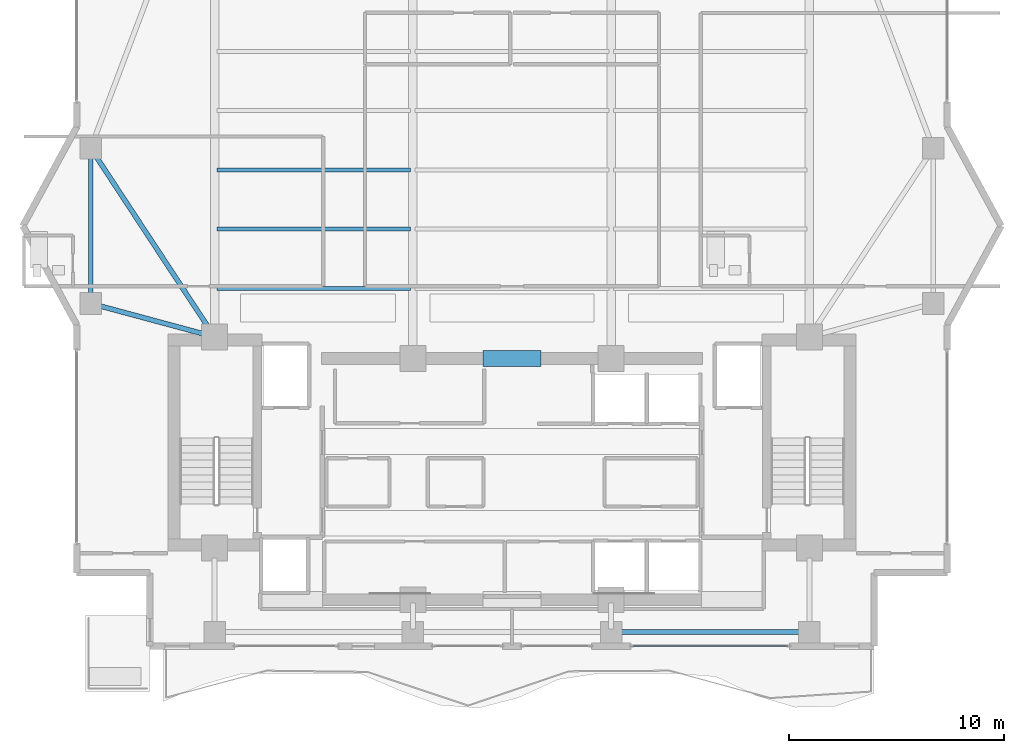
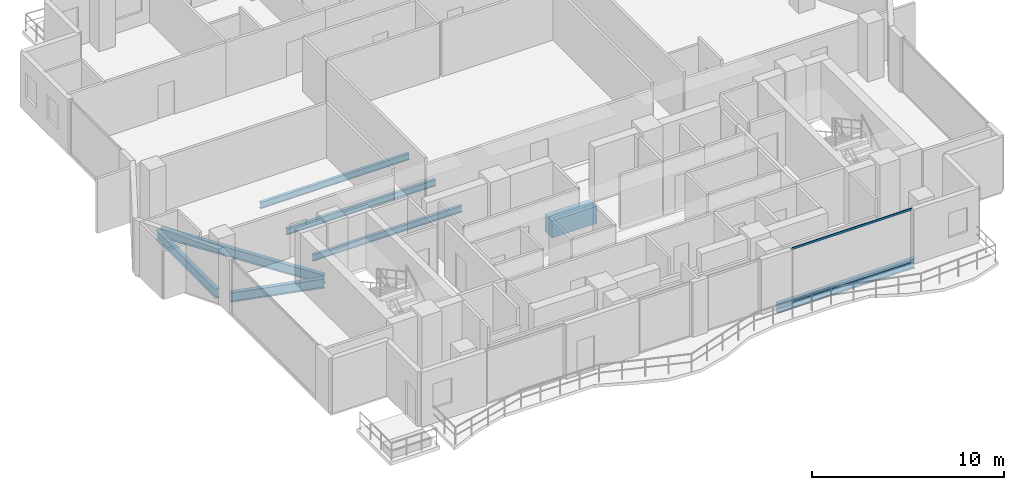
# One storey, part 5 of 25: 8 beams, 2 members, 1 element without a shape of its own.
"""IFC4 building model written with IfcOpenShell, lengths in metres."""

from ifc_helpers import new_model, si_unit, direction, frame, origin, origin_2d, place, context, subcontext, project, spatial, rectangle, hollow_rectangle, i_section, extrude, material, layer, layer_set, material_profile, profile_set, type_object, element, aggregate, save


model = new_model("IFC4")

# Units and contexts
model_context = context("Model", 3, precision=1e-05, world=origin(), true_north=direction((0.0, 1.0)))
body_context = subcontext(model_context, "Body", "Model", "MODEL_VIEW")
ifc_project = project(units=[si_unit("LENGTHUNIT", "METRE"), si_unit("AREAUNIT", "SQUARE_METRE"), si_unit("VOLUMEUNIT", "CUBIC_METRE"), si_unit("PLANEANGLEUNIT", "RADIAN"), si_unit("MASSUNIT", "GRAM", prefix="KILO")], contexts=[model_context])

# Site, building, storey
site_placement = place(None, origin())
site = spatial("IfcSite", under=ifc_project, at=site_placement, CompositionType="ELEMENT")
building_placement = place(site_placement, origin())
building = spatial("IfcBuilding", under=site, at=building_placement, Name="Zuhayl Quay Hotel", CompositionType="ELEMENT")
storey_placement = place(building_placement, frame((0.0, 0.0, 243.35009765625)))
storey = spatial("IfcBuildingStorey", under=building, at=storey_placement, Name="L61", CompositionType="ELEMENT", Elevation=243.35009765625)

# Beams
ifc_material_1 = material(Name="Steel ASTM A992 Grade 50", Category="steel")
ifc_material_profile_1 = material_profile(ifc_material_1, i_section(OverallWidth=0.22802734375, OverallDepth=0.60693359375, WebThickness=0.01123046875, FlangeThickness=0.017333984375, at=origin_2d()), Name="W24X76")
ifc_profile_set_1 = profile_set([ifc_material_profile_1], Name="Steel ASTM A992 Grade 50")
beam_type_1 = type_object("IfcBeamType", Name="BM_B3_W24X76", PredefinedType="BEAM", material=ifc_profile_set_1)
beam_1_placement = place(storey_placement, frame((5.06005859375, 0.64990234375, -0.523681640625), z_axis=(1.0, 0.0, 0.0), x_axis=(0.0, 1.0, 0.0)))
element("IfcBeam", 1, at=beam_1_placement, inside=storey, type_object=beam_type_1, Name="L61 Floor Beam RG_L61_03", PredefinedType="BEAM", context=body_context, shape_type="SweptSolid", body=[
    extrude(i_section(OverallWidth=0.22802734375, OverallDepth=0.60693359375, WebThickness=0.01123046875, FlangeThickness=0.017333984375, at=origin_2d()), origin(), (0.0, 0.0, 1.0), 8.280029296875),
])
beam_2_placement = place(storey_placement, frame((-19.550048828125, 22.639892578125, -0.523681640625), z_axis=(0.0, -1.0, 0.0), x_axis=(1.0, 0.0, 0.0)))
element("IfcBeam", 2, at=beam_2_placement, inside=storey, type_object=beam_type_1, Name="L61 Floor Beam RG_L61_11", PredefinedType="BEAM", context=body_context, shape_type="SweptSolid", body=[
    extrude(i_section(OverallWidth=0.22802734375, OverallDepth=0.60693359375, WebThickness=0.01123046875, FlangeThickness=0.017333984375, at=origin_2d()), origin(), (0.0, 0.0, 1.0), 6.27978515625),
])
beam_3_placement = place(storey_placement, frame((-19.10595703125, 15.7802734375, -0.523681640625), z_axis=(0.965530205773, -0.26029103277, 0.0), x_axis=(0.26029103277, 0.965530205773, 0.0)))
element("IfcBeam", 3, at=beam_3_placement, inside=storey, type_object=beam_type_1, Name="L61 Floor Beam FG_W_L61_1", PredefinedType="BEAM", context=body_context, shape_type="SweptSolid", body=[
    extrude(i_section(OverallWidth=0.22802734375, OverallDepth=0.60693359375, WebThickness=0.01123046875, FlangeThickness=0.017333984375, at=origin_2d()), origin(), (0.0, 0.0, 1.0), 5.045166015625),
])
beam_4_placement = place(storey_placement, frame((-19.29736328125, 22.715576171875, -0.523681640625), z_axis=(0.549177886661, -0.835705479701, 0.0), x_axis=(0.835705479701, 0.549177886661, 0.0)))
element("IfcBeam", 4, at=beam_4_placement, inside=storey, type_object=beam_type_1, Name="L61 Floor Beam FG_W_L61_2", PredefinedType="BEAM", context=body_context, shape_type="SweptSolid", body=[
    extrude(i_section(OverallWidth=0.22802734375, OverallDepth=0.60693359375, WebThickness=0.01123046875, FlangeThickness=0.017333984375, at=origin_2d()), origin(), (0.0, 0.0, 1.0), 9.560302734375),
])
ifc_material_2 = material(Name="Concrete C60/75", Category="concrete")
ifc_material_profile_2 = material_profile(ifc_material_2, rectangle(XDim=0.75, YDim=1.10009765625, at=origin_2d()), Name="RC750X1100")
ifc_profile_set_2 = profile_set([ifc_material_profile_2], Name="Concrete C60/75")
beam_type_2 = type_object("IfcBeamType", Name="BM_CB2_RC750", PredefinedType="T_BEAM", material=ifc_profile_set_2)
beam_5_placement = place(storey_placement, frame((-1.35009765625, 13.35009765625, -0.77001953125), z_axis=(1.0, 0.0, 0.0), x_axis=(0.0, 1.0, 0.0)))
element("IfcBeam", 5, at=beam_5_placement, inside=storey, type_object=beam_type_2, Name="L61 Core Coupling Beam North", PredefinedType="T_BEAM", context=body_context, shape_type="SweptSolid", body=[
    extrude(rectangle(XDim=0.75, YDim=1.10009765625, at=origin_2d()), origin(), (0.0, 0.0, 1.0), 2.7001953125),
])
ifc_material_profile_3 = material_profile(ifc_material_1, i_section(OverallWidth=0.177978515625, OverallDepth=0.404052734375, WebThickness=0.007568359375, FlangeThickness=0.010986328125, at=origin_2d()), Name="W16X36")
ifc_profile_set_3 = profile_set([ifc_material_profile_3], Name="Steel ASTM A992 Grade 50")
beam_type_3 = type_object("IfcBeamType", Name="BM_J3_W16X36", PredefinedType="JOIST", material=ifc_profile_set_3)
for number, where, z_axis, x_axis, name in (
    (6, (-13.694091796875, 16.60009765625, -0.422119140625), (1.0, 0.0, 0.0), (0.0, 1.0, 0.0), "L61 Floor Beam FJ_L61_1_1"),
    (7, (-13.694091796875, 19.35009765625, -0.422119140625), (1.0, 0.0, 0.0), (0.0, 1.0, 0.0), "L61 Floor Beam FJ_L61_2_1"),
    (8, (-13.694091796875, 22.10009765625, -0.422119140625), (1.0, 0.0, 0.0), (0.0, 1.0, 0.0), "L61 Floor Beam FJ_L61_3_1"),
):
    element("IfcBeam", number, at=place(storey_placement, frame(where, z_axis=z_axis, x_axis=x_axis)), inside=storey, type_object=beam_type_3, Name=name, PredefinedType="JOIST", context=body_context, shape_type="SweptSolid", body=[
        extrude(i_section(OverallWidth=0.177978515625, OverallDepth=0.404052734375, WebThickness=0.007568359375, FlangeThickness=0.010986328125, at=origin_2d()), origin(), (0.0, 0.0, 1.0), 8.988037109375),
    ])

# Curtain wall, members
ifc_material_3 = material(Name="Anodised Aluminium 6063-T6", Category="aluminium")
ifc_layer = layer(ifc_material_3, 0.169921875, Name="Anodised Aluminium 6063-T6", Category="aluminium")
ifc_layer_set = layer_set([ifc_layer], Name="Anodised Aluminium 6063-T6")
curtain_wall_type = type_object("IfcCurtainWallType", Name="CW_SYS_Z4", PredefinedType="USERDEFINED", material=ifc_layer_set)
curtain_wall_placement = place(storey_placement, origin())
curtain_wall = element("IfcCurtainWall", 9, at=curtain_wall_placement, inside=storey, type_object=curtain_wall_type, Name="L61 Curtain Wall ENV_L61_S_CW1", ObjectType="UNITISED CURTAIN WALL", PredefinedType="USERDEFINED")
ifc_material_4 = material(Name="Black-anodised aluminium 6063-T6", Category="aluminium")
ifc_material_profile_4 = material_profile(ifc_material_4, hollow_rectangle(XDim=0.054931640625, YDim=0.1298828125, WallThickness=0.0029296875, at=origin_2d()), Name="ALU130X55")
ifc_profile_set_4 = profile_set([ifc_material_profile_4], Name="Black-anodised aluminium 6063-T6")
member_type = type_object("IfcMemberType", Name="MB_CW_TRN_130", PredefinedType="USERDEFINED", material=ifc_profile_set_4)
member_1_placement = place(storey_placement, frame((12.81494140625, 0.0, 0.02734375), z_axis=(-1.0, 0.0, 0.0), x_axis=(0.0, -1.0, 0.0)))
member_1 = element("IfcMember", 10, at=member_1_placement, type_object=member_type, Name="CW-Z4 transom 1.1", ObjectType="TRANSOM", PredefinedType="USERDEFINED", context=body_context, shape_type="SweptSolid", body=[
    extrude(hollow_rectangle(XDim=0.054931640625, YDim=0.1298828125, WallThickness=0.0029296875, at=origin_2d()), origin(), (0.0, 0.0, 1.0), 7.22998046875),
])
member_2_placement = place(storey_placement, frame((12.81494140625, 0.0, 3.452392578125), z_axis=(-1.0, 0.0, 0.0), x_axis=(0.0, -1.0, 0.0)))
member_2 = element("IfcMember", 11, at=member_2_placement, type_object=member_type, Name="CW-Z4 transom 1.2", ObjectType="TRANSOM", PredefinedType="USERDEFINED", context=body_context, shape_type="SweptSolid", body=[
    extrude(hollow_rectangle(XDim=0.054931640625, YDim=0.1298828125, WallThickness=0.0029296875, at=origin_2d()), origin(), (0.0, 0.0, 1.0), 7.22998046875),
])
aggregate(curtain_wall, [member_1, member_2])

save(model, "model.ifc")
